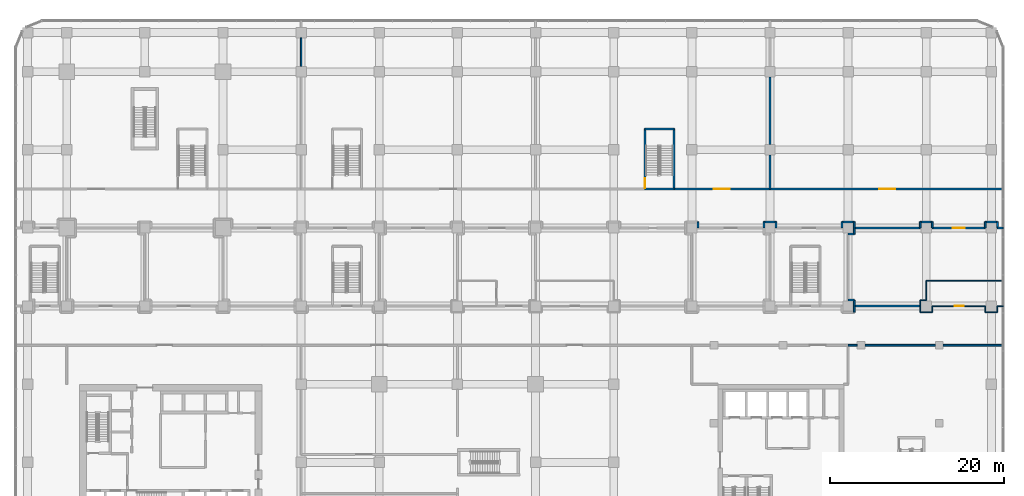
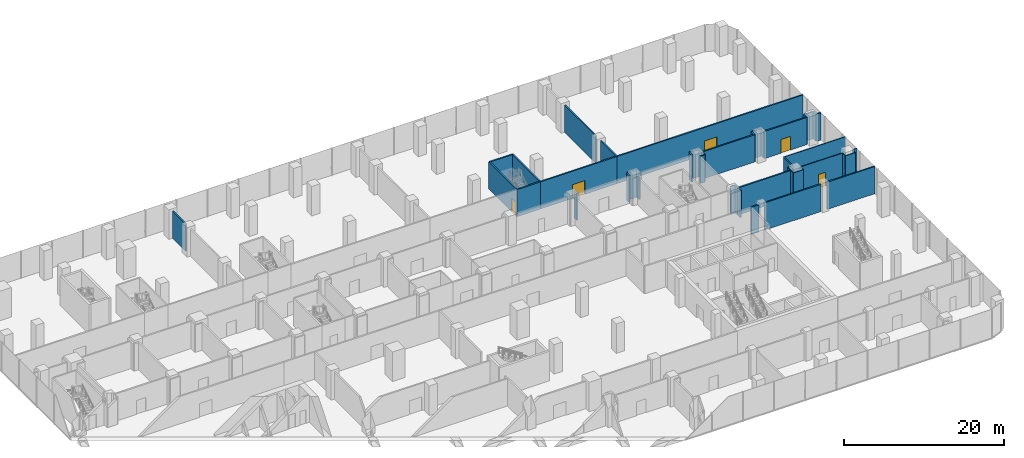
# One storey, part 36 of 43: 46 walls, 5 doors, 5 openings.
"""IFC4 building model written with IfcOpenShell, lengths in metres."""

from ifc_helpers import new_model, si_unit, direction, frame, frame_2d, origin, place, context, subcontext, project, spatial, rectangle, extrude, material, layer, layer_set, type_object, element, fill, save


model = new_model("IFC4")

# Units and contexts
model_context = context("Model", 3, precision=1e-05, world=origin(), true_north=direction((0.0, 1.0)))
body_context = subcontext(model_context, "Body", "Model", "MODEL_VIEW")
ifc_project = project(units=[si_unit("LENGTHUNIT", "METRE"), si_unit("AREAUNIT", "SQUARE_METRE"), si_unit("VOLUMEUNIT", "CUBIC_METRE"), si_unit("PLANEANGLEUNIT", "RADIAN"), si_unit("MASSUNIT", "GRAM", prefix="KILO")], contexts=[model_context])

# Site, building, storey
site_placement = place(None, origin())
site = spatial("IfcSite", under=ifc_project, at=site_placement, CompositionType="ELEMENT")
building_placement = place(site_placement, origin())
building = spatial("IfcBuilding", under=site, at=building_placement, Name="Plateau Cross Towers", CompositionType="ELEMENT")
storey_placement = place(building_placement, frame((0.0, 0.0, 17.300048828125)))
storey = spatial("IfcBuildingStorey", under=building, at=storey_placement, Name="L03", CompositionType="ELEMENT", Elevation=17.300048828125)

# Wall, opening, door
ifc_material_1 = material(Name="Gypsum board on steel studs", Category="steel")
ifc_layer_1 = layer(ifc_material_1, 0.199951171875)
ifc_layer_set_1 = layer_set([ifc_layer_1], Name="Gypsum board on steel studs")
wall_type_1 = type_object("IfcWallType", Name="Podium partition 200", PredefinedType="PARTITIONING", material=ifc_layer_set_1)
wall_1_placement = place(storey_placement, frame((81.0, 40.5, 0.0), z_axis=(0.0, 0.0, 1.0), x_axis=(1.0, 0.0, 0.0)))
wall_1 = element("IfcWall", 1, at=wall_1_placement, inside=storey, type_object=wall_type_1, Name="Partition wall", PredefinedType="PARTITIONING", context=body_context, shape_type="SweptSolid", body=[
    extrude(rectangle(XDim=26.85009765625, YDim=0.199951171875, at=frame_2d((13.425048828125, 0.0))), origin(), (0.0, 0.0, 1.0), 4.14990234375),
])
opening_1_placement = place(wall_1_placement, frame((12.60009765625, 0.0, 0.0)))
opening_1 = element("IfcOpeningElement", 2, at=opening_1_placement, cuts=wall_1, Name="Opening 03-37", PredefinedType="OPENING", context=body_context, shape_type="SweptSolid", body=[
    extrude(rectangle(XDim=1.800048828125, YDim=2.10009765625, at=frame_2d((0.89990234375, 1.050048828125))), frame((0.0, 0.10986328125, 0.0), z_axis=(0.0, -1.0, 0.0), x_axis=(1.0, 0.0, 0.0)), (0.0, 0.0, 1.0), 0.219970703125),
])
ifc_material_2 = material(Name="Aluminium frame, toughened glass", Category="aluminium")
door_type_1 = type_object("IfcDoorType", Name="Podium door pair 1800", OperationType="NOTDEFINED", PredefinedType="DOOR", material=ifc_material_2)
door_1_placement = place(opening_1_placement, origin())
door_1 = element("IfcDoor", 3, at=door_1_placement, inside=storey, type_object=door_type_1, Name="Door 03-37", OperationType="DOUBLE_DOOR_SINGLE_SWING", OverallHeight=2.10009765625, OverallWidth=1.800048828125, PredefinedType="DOOR", context=body_context, shape_type="SweptSolid", body=[
    extrude(rectangle(XDim=1.800048828125, YDim=2.10009765625, at=frame_2d((0.89990234375, 1.050048828125))), frame((0.0, 0.02490234375, 0.0), z_axis=(0.0, -1.0, 0.0), x_axis=(1.0, 0.0, 0.0)), (0.0, 0.0, 1.0), 0.050048828125),
])
fill(opening_1, door_1)

# Walls
wall_2_placement = place(storey_placement, frame((107.85009765625, 36.0, 0.0), z_axis=(0.0, 0.0, 1.0), x_axis=(-1.0, 0.0, 0.0)))
element("IfcWall", 4, at=wall_2_placement, inside=storey, type_object=wall_type_1, Name="Partition wall", PredefinedType="PARTITIONING", context=body_context, shape_type="SweptSolid", body=[
    extrude(rectangle(XDim=0.650146484375, YDim=0.199951171875, at=frame_2d((0.3251953125, 0.0))), origin(), (0.0, 0.0, 1.0), 4.14990234375),
])
wall_3_placement = place(storey_placement, frame((107.199951171875, 36.0, 0.0), z_axis=(0.0, 0.0, 1.0), x_axis=(0.0, 1.0, 0.0)))
element("IfcWall", 5, at=wall_3_placement, inside=storey, type_object=wall_type_1, Name="Partition wall", PredefinedType="PARTITIONING", context=body_context, shape_type="SweptSolid", body=[
    extrude(rectangle(XDim=0.699951171875, YDim=0.199951171875, at=frame_2d((0.35009765625, 0.0))), origin(), (0.0, 0.0, 1.0), 4.14990234375),
])
wall_4_placement = place(storey_placement, frame((107.199951171875, 36.699951171875, 0.0), z_axis=(0.0, 0.0, 1.0), x_axis=(-1.0, 0.0, 0.0)))
element("IfcWall", 6, at=wall_4_placement, inside=storey, type_object=wall_type_1, Name="Partition wall", PredefinedType="PARTITIONING", context=body_context, shape_type="SweptSolid", body=[
    extrude(rectangle(XDim=1.39990234375, YDim=0.199951171875, at=frame_2d((0.699951171875, 0.0))), origin(), (0.0, 0.0, 1.0), 4.14990234375),
])
wall_5_placement = place(storey_placement, frame((105.800048828125, 36.699951171875, 0.0), z_axis=(0.0, 0.0, 1.0), x_axis=(0.0, -1.0, 0.0)))
element("IfcWall", 7, at=wall_5_placement, inside=storey, type_object=wall_type_1, Name="Partition wall", PredefinedType="PARTITIONING", context=body_context, shape_type="SweptSolid", body=[
    extrude(rectangle(XDim=0.699951171875, YDim=0.199951171875, at=frame_2d((0.35009765625, 0.0))), origin(), (0.0, 0.0, 1.0), 4.14990234375),
])

# Wall, opening, door
wall_6_placement = place(storey_placement, frame((105.800048828125, 36.0, 0.0), z_axis=(0.0, 0.0, 1.0), x_axis=(-1.0, 0.0, 0.0)))
wall_6 = element("IfcWall", 8, at=wall_6_placement, inside=storey, type_object=wall_type_1, Name="Partition wall", PredefinedType="PARTITIONING", context=body_context, shape_type="SweptSolid", body=[
    extrude(rectangle(XDim=6.10009765625, YDim=0.199951171875, at=frame_2d((3.050048828125, 0.0))), origin(), (0.0, 0.0, 1.0), 4.14990234375),
])
opening_2_placement = place(wall_6_placement, frame((2.35009765625, 0.0, 0.0)))
opening_2 = element("IfcOpeningElement", 9, at=opening_2_placement, cuts=wall_6, Name="Opening 03-30", PredefinedType="OPENING", context=body_context, shape_type="SweptSolid", body=[
    extrude(rectangle(XDim=1.39990234375, YDim=2.10009765625, at=frame_2d((0.699951171875, 1.050048828125))), frame((0.0, 0.10986328125, 0.0), z_axis=(0.0, -1.0, 0.0), x_axis=(1.0, 0.0, 0.0)), (0.0, 0.0, 1.0), 0.219970703125),
])
ifc_material_3 = material(Name="Timber, hospital grade leaf", Category="wood")
door_type_2 = type_object("IfcDoorType", Name="Clinic bed access door 1400x2100", OperationType="NOTDEFINED", PredefinedType="DOOR", material=ifc_material_3)
door_2_placement = place(opening_2_placement, origin())
door_2 = element("IfcDoor", 10, at=door_2_placement, inside=storey, type_object=door_type_2, Name="Door 03-30", OperationType="SINGLE_SWING_LEFT", OverallHeight=2.10009765625, OverallWidth=1.39990234375, PredefinedType="DOOR", context=body_context, shape_type="SweptSolid", body=[
    extrude(rectangle(XDim=1.39990234375, YDim=2.10009765625, at=frame_2d((0.699951171875, 1.050048828125))), frame((0.0, 0.02490234375, 0.0), z_axis=(0.0, -1.0, 0.0), x_axis=(1.0, 0.0, 0.0)), (0.0, 0.0, 1.0), 0.050048828125),
])
fill(opening_2, door_2)

# Walls
wall_7_placement = place(storey_placement, frame((99.699951171875, 36.0, 0.0), z_axis=(0.0, 0.0, 1.0), x_axis=(0.0, 1.0, 0.0)))
element("IfcWall", 11, at=wall_7_placement, inside=storey, type_object=wall_type_1, Name="Partition wall", PredefinedType="PARTITIONING", context=body_context, shape_type="SweptSolid", body=[
    extrude(rectangle(XDim=0.699951171875, YDim=0.199951171875, at=frame_2d((0.35009765625, 0.0))), origin(), (0.0, 0.0, 1.0), 4.14990234375),
])
wall_8_placement = place(storey_placement, frame((99.699951171875, 36.699951171875, 0.0), z_axis=(0.0, 0.0, 1.0), x_axis=(-1.0, 0.0, 0.0)))
element("IfcWall", 12, at=wall_8_placement, inside=storey, type_object=wall_type_1, Name="Partition wall", PredefinedType="PARTITIONING", context=body_context, shape_type="SweptSolid", body=[
    extrude(rectangle(XDim=1.39990234375, YDim=0.199951171875, at=frame_2d((0.699951171875, 0.0))), origin(), (0.0, 0.0, 1.0), 4.14990234375),
])
wall_9_placement = place(storey_placement, frame((98.300048828125, 36.699951171875, 0.0), z_axis=(0.0, 0.0, 1.0), x_axis=(0.0, -1.0, 0.0)))
element("IfcWall", 13, at=wall_9_placement, inside=storey, type_object=wall_type_1, Name="Partition wall", PredefinedType="PARTITIONING", context=body_context, shape_type="SweptSolid", body=[
    extrude(rectangle(XDim=0.699951171875, YDim=0.199951171875, at=frame_2d((0.35009765625, 0.0))), origin(), (0.0, 0.0, 1.0), 4.14990234375),
])
wall_10_placement = place(storey_placement, frame((98.300048828125, 36.0, 0.0), z_axis=(0.0, 0.0, 1.0), x_axis=(-1.0, 0.0, 0.0)))
element("IfcWall", 14, at=wall_10_placement, inside=storey, type_object=wall_type_1, Name="Partition wall", PredefinedType="PARTITIONING", context=body_context, shape_type="SweptSolid", body=[
    extrude(rectangle(XDim=7.60009765625, YDim=0.199951171875, at=frame_2d((3.800048828125, 0.0))), origin(), (0.0, 0.0, 1.0), 4.14990234375),
])
wall_11_placement = place(storey_placement, frame((81.0, 53.39990234375, 0.0), z_axis=(0.0, 0.0, 1.0), x_axis=(0.0, -1.0, 0.0)))
element("IfcWall", 15, at=wall_11_placement, inside=storey, type_object=wall_type_1, Name="Partition wall", PredefinedType="PARTITIONING", context=body_context, shape_type="SweptSolid", body=[
    extrude(rectangle(XDim=7.7998046875, YDim=0.199951171875, at=frame_2d((3.89990234375, 0.0))), origin(), (0.0, 0.0, 1.0), 4.14990234375),
])
wall_12_placement = place(storey_placement, frame((81.0, 44.39990234375, 0.0), z_axis=(0.0, 0.0, 1.0), x_axis=(0.0, -1.0, 0.0)))
element("IfcWall", 16, at=wall_12_placement, inside=storey, type_object=wall_type_1, Name="Partition wall", PredefinedType="PARTITIONING", context=body_context, shape_type="SweptSolid", body=[
    extrude(rectangle(XDim=3.89990234375, YDim=0.199951171875, at=frame_2d((1.949951171875, 0.0))), origin(), (0.0, 0.0, 1.0), 4.14990234375),
])
wall_13_placement = place(storey_placement, frame((27.0, 57.89990234375, 0.0), z_axis=(0.0, 0.0, 1.0), x_axis=(0.0, -1.0, 0.0)))
element("IfcWall", 17, at=wall_13_placement, inside=storey, type_object=wall_type_1, Name="Partition wall", PredefinedType="PARTITIONING", context=body_context, shape_type="SweptSolid", body=[
    extrude(rectangle(XDim=3.2998046875, YDim=0.199951171875, at=frame_2d((1.64990234375, 0.0))), origin(), (0.0, 0.0, 1.0), 4.14990234375),
])
wall_14_placement = place(storey_placement, frame((107.85009765625, 22.5, 0.0), z_axis=(0.0, 0.0, 1.0), x_axis=(-1.0, 0.0, 0.0)))
element("IfcWall", 18, at=wall_14_placement, inside=storey, type_object=wall_type_1, Name="Partition wall", PredefinedType="PARTITIONING", context=body_context, shape_type="SweptSolid", body=[
    extrude(rectangle(XDim=6.900146484375, YDim=0.199951171875, at=frame_2d((3.4501953125, 0.0))), origin(), (0.0, 0.0, 1.0), 4.14990234375),
])
wall_15_placement = place(storey_placement, frame((100.050048828125, 22.5, 0.0), z_axis=(0.0, 0.0, 1.0), x_axis=(-1.0, 0.0, 0.0)))
element("IfcWall", 19, at=wall_15_placement, inside=storey, type_object=wall_type_1, Name="Partition wall", PredefinedType="PARTITIONING", context=body_context, shape_type="SweptSolid", body=[
    extrude(rectangle(XDim=8.10009765625, YDim=0.199951171875, at=frame_2d((4.050048828125, 0.0))), origin(), (0.0, 0.0, 1.0), 4.14990234375),
])
wall_16_placement = place(storey_placement, frame((91.050048828125, 22.5, 0.0), z_axis=(0.0, 0.0, 1.0), x_axis=(-1.0, 0.0, 0.0)))
element("IfcWall", 20, at=wall_16_placement, inside=storey, type_object=wall_type_1, Name="Partition wall", PredefinedType="PARTITIONING", context=body_context, shape_type="SweptSolid", body=[
    extrude(rectangle(XDim=1.050048828125, YDim=0.199951171875, at=frame_2d((0.52490234375, 0.0))), origin(), (0.0, 0.0, 1.0), 4.14990234375),
])
wall_17_placement = place(storey_placement, frame((90.699951171875, 36.0, 0.0), z_axis=(0.0, 0.0, 1.0), x_axis=(0.0, 1.0, 0.0)))
element("IfcWall", 21, at=wall_17_placement, inside=storey, type_object=wall_type_1, Name="Partition wall", PredefinedType="PARTITIONING", context=body_context, shape_type="SweptSolid", body=[
    extrude(rectangle(XDim=0.699951171875, YDim=0.199951171875, at=frame_2d((0.35009765625, 0.0))), origin(), (0.0, 0.0, 1.0), 4.14990234375),
])
wall_18_placement = place(storey_placement, frame((90.699951171875, 36.699951171875, 0.0), z_axis=(0.0, 0.0, 1.0), x_axis=(-1.0, 0.0, 0.0)))
element("IfcWall", 22, at=wall_18_placement, inside=storey, type_object=wall_type_1, Name="Partition wall", PredefinedType="PARTITIONING", context=body_context, shape_type="SweptSolid", body=[
    extrude(rectangle(XDim=1.39990234375, YDim=0.199951171875, at=frame_2d((0.699951171875, 0.0))), origin(), (0.0, 0.0, 1.0), 4.14990234375),
])
for number, where, z_axis, x_axis, name in (
    (23, (89.300048828125, 36.699951171875, 0.0), (0.0, 0.0, 1.0), (0.0, -1.0, 0.0), "Partition wall"),
    (24, (81.699951171875, 36.0, 0.0), (0.0, 0.0, 1.0), (0.0, 1.0, 0.0), "Partition wall"),
):
    element("IfcWall", number, at=place(storey_placement, frame(where, z_axis=z_axis, x_axis=x_axis)), inside=storey, type_object=wall_type_1, Name=name, PredefinedType="PARTITIONING", context=body_context, shape_type="SweptSolid", body=[
        extrude(rectangle(XDim=0.699951171875, YDim=0.199951171875, at=frame_2d((0.35009765625, 0.0))), origin(), (0.0, 0.0, 1.0), 4.14990234375),
    ])
wall_19_placement = place(storey_placement, frame((81.699951171875, 36.699951171875, 0.0), z_axis=(0.0, 0.0, 1.0), x_axis=(-1.0, 0.0, 0.0)))
element("IfcWall", 25, at=wall_19_placement, inside=storey, type_object=wall_type_1, Name="Partition wall", PredefinedType="PARTITIONING", context=body_context, shape_type="SweptSolid", body=[
    extrude(rectangle(XDim=1.39990234375, YDim=0.199951171875, at=frame_2d((0.699951171875, 0.0))), origin(), (0.0, 0.0, 1.0), 4.14990234375),
])
wall_20_placement = place(storey_placement, frame((80.300048828125, 36.699951171875, 0.0), z_axis=(0.0, 0.0, 1.0), x_axis=(0.0, -1.0, 0.0)))
element("IfcWall", 26, at=wall_20_placement, inside=storey, type_object=wall_type_1, Name="Partition wall", PredefinedType="PARTITIONING", context=body_context, shape_type="SweptSolid", body=[
    extrude(rectangle(XDim=0.699951171875, YDim=0.199951171875, at=frame_2d((0.35009765625, 0.0))), origin(), (0.0, 0.0, 1.0), 4.14990234375),
])

# Wall, opening, door
wall_21_placement = place(storey_placement, frame((69.949951171875, 40.5, 0.0), z_axis=(0.0, 0.0, 1.0), x_axis=(1.0, 0.0, 0.0)))
wall_21 = element("IfcWall", 27, at=wall_21_placement, inside=storey, type_object=wall_type_1, Name="Partition wall", PredefinedType="PARTITIONING", context=body_context, shape_type="SweptSolid", body=[
    extrude(rectangle(XDim=11.050048828125, YDim=0.199951171875, at=frame_2d((5.52490234375, 0.0))), origin(), (0.0, 0.0, 1.0), 4.14990234375),
])
opening_3_placement = place(wall_21_placement, frame((4.60009765625, 0.0, 0.0)))
opening_3 = element("IfcOpeningElement", 28, at=opening_3_placement, cuts=wall_21, Name="Opening 03-38", PredefinedType="OPENING", context=body_context, shape_type="SweptSolid", body=[
    extrude(rectangle(XDim=1.800048828125, YDim=2.10009765625, at=frame_2d((0.89990234375, 1.050048828125))), frame((0.0, 0.10986328125, 0.0), z_axis=(0.0, -1.0, 0.0), x_axis=(1.0, 0.0, 0.0)), (0.0, 0.0, 1.0), 0.219970703125),
])
door_3_placement = place(opening_3_placement, origin())
door_3 = element("IfcDoor", 29, at=door_3_placement, inside=storey, type_object=door_type_1, Name="Door 03-38", OperationType="DOUBLE_DOOR_SINGLE_SWING", OverallHeight=2.10009765625, OverallWidth=1.800048828125, PredefinedType="DOOR", context=body_context, shape_type="SweptSolid", body=[
    extrude(rectangle(XDim=1.800048828125, YDim=2.10009765625, at=frame_2d((0.89990234375, 1.050048828125))), frame((0.0, 0.02490234375, 0.0), z_axis=(0.0, -1.0, 0.0), x_axis=(1.0, 0.0, 0.0)), (0.0, 0.0, 1.0), 0.050048828125),
])
fill(opening_3, door_3)

# Walls
for number, where, z_axis, x_axis, name in (
    (30, (72.699951171875, 36.0, 0.0), (0.0, 0.0, 1.0), (0.0, 1.0, 0.0), "Partition wall"),
    (31, (90.699951171875, 36.0, 0.0), (0.0, 0.0, 1.0), (0.0, -1.0, 0.0), "Partition wall"),
    (32, (90.699951171875, 35.300048828125, 0.0), (0.0, 0.0, 1.0), (-1.0, 0.0, 0.0), "Partition wall"),
    (33, (90.0, 27.699951171875, 0.0), (0.0, 0.0, 1.0), (1.0, 0.0, 0.0), "Partition wall"),
    (34, (90.699951171875, 27.699951171875, 0.0), (0.0, 0.0, 1.0), (0.0, -1.0, 0.0), "Partition wall"),
):
    element("IfcWall", number, at=place(storey_placement, frame(where, z_axis=z_axis, x_axis=x_axis)), inside=storey, type_object=wall_type_1, Name=name, PredefinedType="PARTITIONING", context=body_context, shape_type="SweptSolid", body=[
        extrude(rectangle(XDim=0.699951171875, YDim=0.199951171875, at=frame_2d((0.35009765625, 0.0))), origin(), (0.0, 0.0, 1.0), 4.14990234375),
    ])
wall_22_placement = place(storey_placement, frame((90.699951171875, 27.0, 0.0), z_axis=(0.0, 0.0, 1.0), x_axis=(1.0, 0.0, 0.0)))
element("IfcWall", 35, at=wall_22_placement, inside=storey, type_object=wall_type_1, Name="Partition wall", PredefinedType="PARTITIONING", context=body_context, shape_type="SweptSolid", body=[
    extrude(rectangle(XDim=7.5, YDim=0.199951171875, at=frame_2d((3.75, 0.0))), origin(), (0.0, 0.0, 1.0), 4.14990234375),
])
wall_23_placement = place(storey_placement, frame((90.699951171875, 26.300048828125, 0.0), z_axis=(0.0, 0.0, 1.0), x_axis=(0.0, 1.0, 0.0)))
element("IfcWall", 36, at=wall_23_placement, inside=storey, type_object=wall_type_1, Name="Partition wall", PredefinedType="PARTITIONING", context=body_context, shape_type="SweptSolid", body=[
    extrude(rectangle(XDim=0.699951171875, YDim=0.199951171875, at=frame_2d((0.35009765625, 0.0))), origin(), (0.0, 0.0, 1.0), 4.14990234375),
])

# Wall, opening, door
ifc_material_4 = material(Name="Fire-rated plasterboard shaft wall system")
ifc_layer_2 = layer(ifc_material_4, 0.199951171875)
ifc_layer_set_2 = layer_set([ifc_layer_2], Name="Fire-rated plasterboard shaft wall system")
wall_type_2 = type_object("IfcWallType", Name="Podium stair shaft wall 200", PredefinedType="PARTITIONING", material=ifc_layer_set_2)
wall_24_placement = place(storey_placement, frame((66.60009765625, 40.5, 0.0), z_axis=(0.0, 0.0, 1.0), x_axis=(0.0, 1.0, 0.0)))
wall_24 = element("IfcWall", 37, at=wall_24_placement, inside=storey, type_object=wall_type_2, Name="Partition wall", PredefinedType="PARTITIONING", context=body_context, shape_type="SweptSolid", body=[
    extrude(rectangle(XDim=6.89990234375, YDim=0.199951171875, at=frame_2d((3.449951171875, 0.0))), origin(), (0.0, 0.0, 1.0), 4.14990234375),
])
opening_4_placement = place(wall_24_placement, frame((0.10009765625, 0.0, 0.0)))
opening_4 = element("IfcOpeningElement", 38, at=opening_4_placement, cuts=wall_24, Name="Opening 03-03", PredefinedType="OPENING", context=body_context, shape_type="SweptSolid", body=[
    extrude(rectangle(XDim=1.10009765625, YDim=2.10009765625, at=frame_2d((0.550048828125, 1.050048828125))), frame((0.0, 0.10986328125, 0.0), z_axis=(0.0, -1.0, 0.0), x_axis=(1.0, 0.0, 0.0)), (0.0, 0.0, 1.0), 0.219970703125),
])
ifc_material_5 = material(Name="Steel, fire-resisting leaf", Category="steel")
door_type_3 = type_object("IfcDoorType", Name="Podium stair door 1100", OperationType="NOTDEFINED", PredefinedType="DOOR", material=ifc_material_5)
door_4_placement = place(opening_4_placement, origin())
door_4 = element("IfcDoor", 39, at=door_4_placement, inside=storey, type_object=door_type_3, Name="Door 03-03", OperationType="SINGLE_SWING_LEFT", OverallHeight=2.10009765625, OverallWidth=1.10009765625, PredefinedType="DOOR", context=body_context, shape_type="SweptSolid", body=[
    extrude(rectangle(XDim=1.10009765625, YDim=2.10009765625, at=frame_2d((0.550048828125, 1.050048828125))), frame((0.0, 0.02490234375, 0.0), z_axis=(0.0, -1.0, 0.0), x_axis=(1.0, 0.0, 0.0)), (0.0, 0.0, 1.0), 0.050048828125),
])
fill(opening_4, door_4)

# Walls
wall_25_placement = place(storey_placement, frame((66.60009765625, 47.39990234375, 0.0), z_axis=(0.0, 0.0, 1.0), x_axis=(1.0, 0.0, 0.0)))
element("IfcWall", 40, at=wall_25_placement, inside=storey, type_object=wall_type_2, Name="Partition wall", PredefinedType="PARTITIONING", context=body_context, shape_type="SweptSolid", body=[
    extrude(rectangle(XDim=3.349853515625, YDim=0.199951171875, at=frame_2d((1.6748046875, 0.0))), origin(), (0.0, 0.0, 1.0), 4.14990234375),
])
wall_26_placement = place(storey_placement, frame((69.949951171875, 47.39990234375, 0.0), z_axis=(0.0, 0.0, 1.0), x_axis=(0.0, -1.0, 0.0)))
element("IfcWall", 41, at=wall_26_placement, inside=storey, type_object=wall_type_2, Name="Partition wall", PredefinedType="PARTITIONING", context=body_context, shape_type="SweptSolid", body=[
    extrude(rectangle(XDim=6.89990234375, YDim=0.199951171875, at=frame_2d((3.449951171875, 0.0))), origin(), (0.0, 0.0, 1.0), 4.14990234375),
])
wall_27_placement = place(storey_placement, frame((69.949951171875, 40.5, 0.0), z_axis=(0.0, 0.0, 1.0), x_axis=(-1.0, 0.0, 0.0)))
element("IfcWall", 42, at=wall_27_placement, inside=storey, type_object=wall_type_2, Name="Partition wall", PredefinedType="PARTITIONING", context=body_context, shape_type="SweptSolid", body=[
    extrude(rectangle(XDim=3.349853515625, YDim=0.199951171875, at=frame_2d((1.6748046875, 0.0))), origin(), (0.0, 0.0, 1.0), 4.14990234375),
])
ifc_material_6 = material(Name="Moisture-resistant board on steel studs, tiled one side", Category="steel")
ifc_layer_3 = layer(ifc_material_6, 0.1201171875)
ifc_layer_set_3 = layer_set([ifc_layer_3], Name="Moisture-resistant board on steel studs, tiled one side")
wall_type_3 = type_object("IfcWallType", Name="Sanitary partition 120", PredefinedType="PARTITIONING", material=ifc_layer_set_3)
wall_28_placement = place(storey_placement, frame((107.85009765625, 29.910888671875, 0.0), z_axis=(0.0, 0.0, 1.0), x_axis=(-1.0, 0.0, 0.0)))
element("IfcWall", 43, at=wall_28_placement, inside=storey, type_object=wall_type_3, Name="Partition wall", PredefinedType="PARTITIONING", context=body_context, shape_type="SweptSolid", body=[
    extrude(rectangle(XDim=8.85009765625, YDim=0.1201171875, at=frame_2d((4.425048828125, 0.0))), origin(), (0.0, 0.0, 1.0), 4.14990234375),
])
wall_29_placement = place(storey_placement, frame((99.0, 29.910888671875, 0.0), z_axis=(0.0, 0.0, 1.0), x_axis=(0.0, -1.0, 0.0)))
element("IfcWall", 44, at=wall_29_placement, inside=storey, type_object=wall_type_3, Name="Partition wall", PredefinedType="PARTITIONING", context=body_context, shape_type="SweptSolid", body=[
    extrude(rectangle(XDim=2.2109375, YDim=0.1201171875, at=frame_2d((1.10546875, 0.0))), origin(), (0.0, 0.0, 1.0), 4.14990234375),
])
for number, where, z_axis, x_axis, name in (
    (45, (99.0, 27.699951171875, 0.0), (0.0, 0.0, 1.0), (-1.0, 0.0, 0.0), "Partition wall"),
    (46, (98.300048828125, 27.699951171875, 0.0), (0.0, 0.0, 1.0), (0.0, -1.0, 0.0), "Partition wall"),
    (47, (98.300048828125, 27.0, 0.0), (0.0, 0.0, 1.0), (0.0, -1.0, 0.0), "Partition wall"),
):
    element("IfcWall", number, at=place(storey_placement, frame(where, z_axis=z_axis, x_axis=x_axis)), inside=storey, type_object=wall_type_3, Name=name, PredefinedType="PARTITIONING", context=body_context, shape_type="SweptSolid", body=[
        extrude(rectangle(XDim=0.699951171875, YDim=0.1201171875, at=frame_2d((0.35009765625, 0.0))), origin(), (0.0, 0.0, 1.0), 4.14990234375),
    ])
wall_30_placement = place(storey_placement, frame((98.300048828125, 26.300048828125, 0.0), z_axis=(0.0, 0.0, 1.0), x_axis=(1.0, 0.0, 0.0)))
element("IfcWall", 48, at=wall_30_placement, inside=storey, type_object=wall_type_3, Name="Partition wall", PredefinedType="PARTITIONING", context=body_context, shape_type="SweptSolid", body=[
    extrude(rectangle(XDim=1.39990234375, YDim=0.1201171875, at=frame_2d((0.699951171875, 0.0))), origin(), (0.0, 0.0, 1.0), 4.14990234375),
])
wall_31_placement = place(storey_placement, frame((99.699951171875, 26.300048828125, 0.0), z_axis=(0.0, 0.0, 1.0), x_axis=(0.0, 1.0, 0.0)))
element("IfcWall", 49, at=wall_31_placement, inside=storey, type_object=wall_type_3, Name="Partition wall", PredefinedType="PARTITIONING", context=body_context, shape_type="SweptSolid", body=[
    extrude(rectangle(XDim=0.699951171875, YDim=0.1201171875, at=frame_2d((0.35009765625, 0.0))), origin(), (0.0, 0.0, 1.0), 4.14990234375),
])

# Wall, opening, door
wall_32_placement = place(storey_placement, frame((99.699951171875, 27.0, 0.0), z_axis=(0.0, 0.0, 1.0), x_axis=(1.0, 0.0, 0.0)))
wall_32 = element("IfcWall", 50, at=wall_32_placement, inside=storey, type_object=wall_type_3, Name="Partition wall", PredefinedType="PARTITIONING", context=body_context, shape_type="SweptSolid", body=[
    extrude(rectangle(XDim=6.10009765625, YDim=0.1201171875, at=frame_2d((3.050048828125, 0.0))), origin(), (0.0, 0.0, 1.0), 4.14990234375),
])
opening_5_placement = place(wall_32_placement, frame((2.60009765625, 0.0, 0.0)))
opening_5 = element("IfcOpeningElement", 51, at=opening_5_placement, cuts=wall_32, Name="Opening 03-31", PredefinedType="OPENING", context=body_context, shape_type="SweptSolid", body=[
    extrude(rectangle(XDim=1.0, YDim=2.10009765625, at=frame_2d((0.5, 1.050048828125))), frame((0.0, 0.070068359375, 0.0), z_axis=(0.0, -1.0, 0.0), x_axis=(1.0, 0.0, 0.0)), (0.0, 0.0, 1.0), 0.14013671875),
])
ifc_material_7 = material(Name="Timber leaf", Category="wood")
door_type_4 = type_object("IfcDoorType", Name="Podium clinic door 1000", OperationType="NOTDEFINED", PredefinedType="DOOR", material=ifc_material_7)
door_5_placement = place(opening_5_placement, origin())
door_5 = element("IfcDoor", 52, at=door_5_placement, inside=storey, type_object=door_type_4, Name="Door 03-31", OperationType="SINGLE_SWING_LEFT", OverallHeight=2.10009765625, OverallWidth=1.0, PredefinedType="DOOR", context=body_context, shape_type="SweptSolid", body=[
    extrude(rectangle(XDim=1.0, YDim=2.10009765625, at=frame_2d((0.5, 1.050048828125))), frame((0.0, 0.02490234375, 0.0), z_axis=(0.0, -1.0, 0.0), x_axis=(1.0, 0.0, 0.0)), (0.0, 0.0, 1.0), 0.050048828125),
])
fill(opening_5, door_5)

# Walls
wall_33_placement = place(storey_placement, frame((105.800048828125, 27.0, 0.0), z_axis=(0.0, 0.0, 1.0), x_axis=(0.0, -1.0, 0.0)))
element("IfcWall", 53, at=wall_33_placement, inside=storey, type_object=wall_type_3, Name="Partition wall", PredefinedType="PARTITIONING", context=body_context, shape_type="SweptSolid", body=[
    extrude(rectangle(XDim=0.699951171875, YDim=0.1201171875, at=frame_2d((0.35009765625, 0.0))), origin(), (0.0, 0.0, 1.0), 4.14990234375),
])
wall_34_placement = place(storey_placement, frame((105.800048828125, 26.300048828125, 0.0), z_axis=(0.0, 0.0, 1.0), x_axis=(1.0, 0.0, 0.0)))
element("IfcWall", 54, at=wall_34_placement, inside=storey, type_object=wall_type_3, Name="Partition wall", PredefinedType="PARTITIONING", context=body_context, shape_type="SweptSolid", body=[
    extrude(rectangle(XDim=1.39990234375, YDim=0.1201171875, at=frame_2d((0.699951171875, 0.0))), origin(), (0.0, 0.0, 1.0), 4.14990234375),
])
wall_35_placement = place(storey_placement, frame((107.199951171875, 26.300048828125, 0.0), z_axis=(0.0, 0.0, 1.0), x_axis=(0.0, 1.0, 0.0)))
element("IfcWall", 55, at=wall_35_placement, inside=storey, type_object=wall_type_3, Name="Partition wall", PredefinedType="PARTITIONING", context=body_context, shape_type="SweptSolid", body=[
    extrude(rectangle(XDim=0.699951171875, YDim=0.1201171875, at=frame_2d((0.35009765625, 0.0))), origin(), (0.0, 0.0, 1.0), 4.14990234375),
])
wall_36_placement = place(storey_placement, frame((107.199951171875, 27.0, 0.0), z_axis=(0.0, 0.0, 1.0), x_axis=(1.0, 0.0, 0.0)))
element("IfcWall", 56, at=wall_36_placement, inside=storey, type_object=wall_type_3, Name="Partition wall", PredefinedType="PARTITIONING", context=body_context, shape_type="SweptSolid", body=[
    extrude(rectangle(XDim=0.650146484375, YDim=0.1201171875, at=frame_2d((0.3251953125, 0.0))), origin(), (0.0, 0.0, 1.0), 4.14990234375),
])

save(model, "model.ifc")
